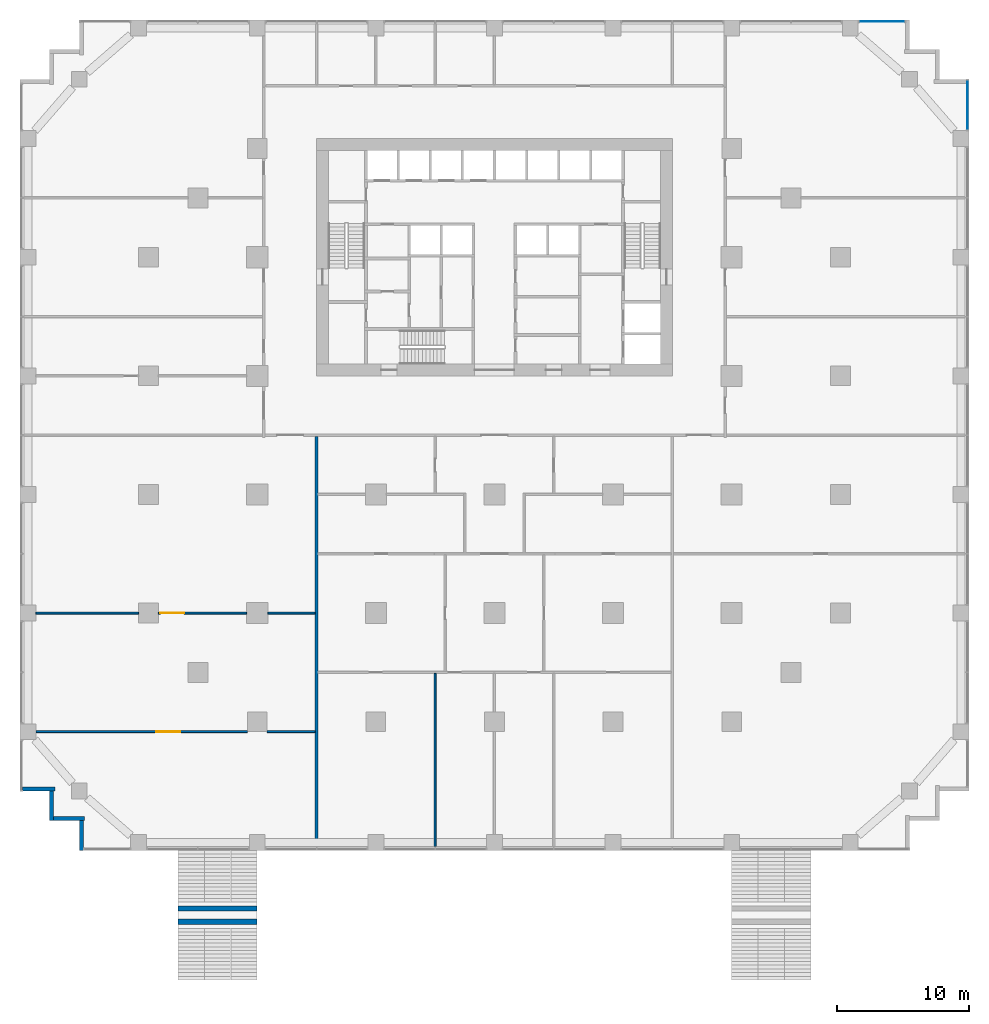
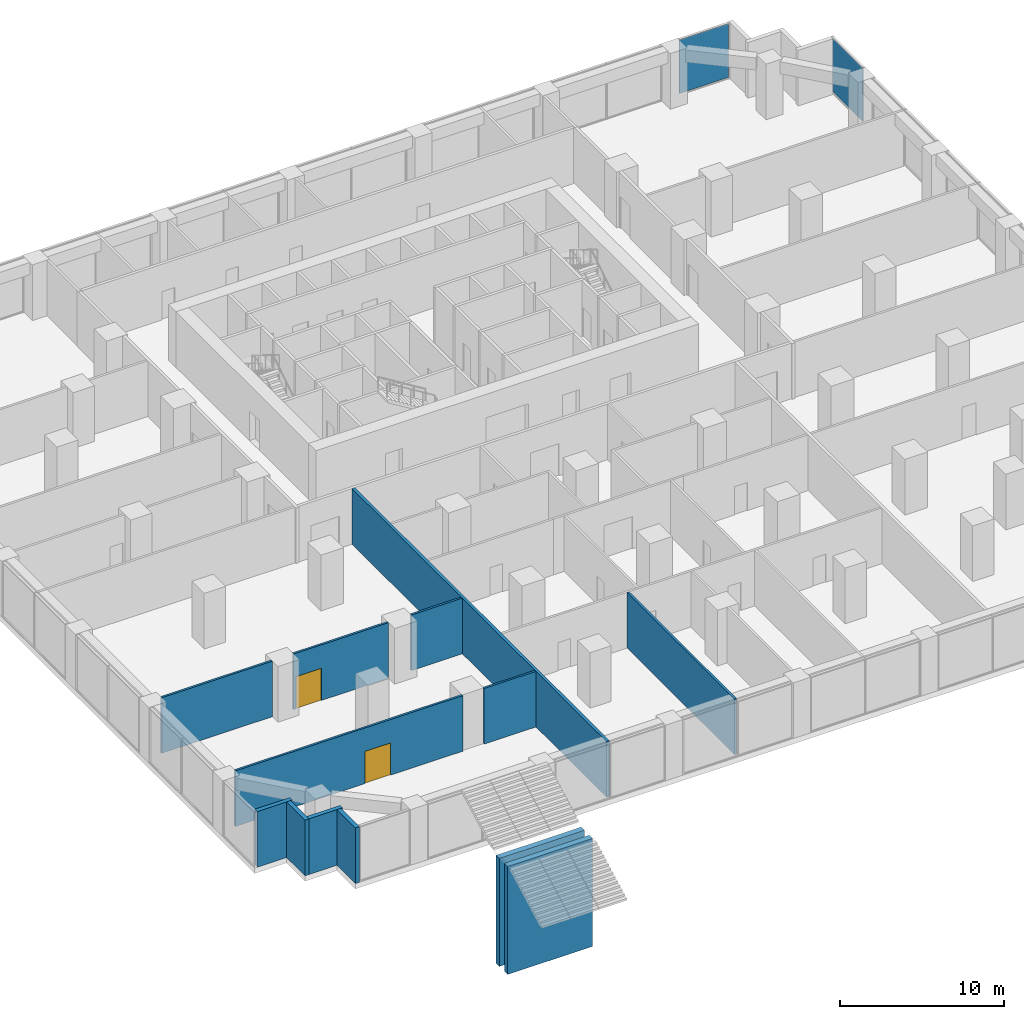
# One storey, part 11 of 18: 13 walls, 2 doors, 2 plates, 2 openings, 2 elements without a shape of their own.
"""IFC4 building model written with IfcOpenShell, lengths in metres."""

from ifc_helpers import new_model, si_unit, direction, frame, frame_2d, origin, origin_2d, place, context, subcontext, project, spatial, rectangle, extrude, material, layer, layer_set, type_object, element, fill, aggregate, save


model = new_model("IFC4")

# Units and contexts
model_context = context("Model", 3, precision=1e-05, world=origin(), true_north=direction((0.0, 1.0)))
body_context = subcontext(model_context, "Body", "Model", "MODEL_VIEW")
ifc_project = project(units=[si_unit("LENGTHUNIT", "METRE"), si_unit("AREAUNIT", "SQUARE_METRE"), si_unit("VOLUMEUNIT", "CUBIC_METRE"), si_unit("PLANEANGLEUNIT", "RADIAN"), si_unit("MASSUNIT", "GRAM", prefix="KILO")], contexts=[model_context])

# Site, building, storey
site_placement = place(None, origin())
site = spatial("IfcSite", under=ifc_project, at=site_placement, CompositionType="ELEMENT")
building_placement = place(site_placement, origin())
building = spatial("IfcBuilding", under=site, at=building_placement, Name="Orbiselva Terraces", CompositionType="ELEMENT")
storey_placement = place(building_placement, frame((0.0, 0.0, 6.0)))
storey = spatial("IfcBuildingStorey", under=building, at=storey_placement, Name="L01", CompositionType="ELEMENT", Elevation=6.0)

# Curtain wall, plate
ifc_material_1 = material(Name="Clear low-e glazing in aluminium frame", Category="aluminium")
curtain_wall_type = type_object("IfcCurtainWallType", Name="ENV-CW-LOBBY", PredefinedType="NOTDEFINED", material=ifc_material_1)
curtain_wall_1_placement = place(storey_placement, origin())
curtain_wall_1 = element("IfcCurtainWall", 1, at=curtain_wall_1_placement, inside=storey, type_object=curtain_wall_type, Name="Curtain wall L01 E", PredefinedType="NOTDEFINED")
ifc_material_2 = material(Name="Clear low-e glass", Category="glass")
ifc_layer_1 = layer(ifc_material_2, 0.028)
ifc_layer_set_1 = layer_set([ifc_layer_1], Name="Clear low-e glass")
plate_type = type_object("IfcPlateType", Name="ENV-CW-LOBBY-PANEL-28", PredefinedType="CURTAIN_PANEL", material=ifc_layer_set_1)
plate_1_placement = place(storey_placement, frame((35.9, 25.05, 0.075), z_axis=(0.0, 0.0, 1.0), x_axis=(0.0, 1.0, 0.0)))
plate_1 = element("IfcPlate", 2, at=plate_1_placement, type_object=plate_type, Name="CW1 panel 1.1", PredefinedType="CURTAIN_PANEL", context=body_context, shape_type="SweptSolid", body=[
    extrude(rectangle(XDim=3.75, YDim=0.028, at=origin_2d()), origin(), (0.0, 0.0, 1.0), 4.0),
])
aggregate(curtain_wall_1, [plate_1])

curtain_wall_2_placement = place(storey_placement, origin())
curtain_wall_2 = element("IfcCurtainWall", 3, at=curtain_wall_2_placement, inside=storey, type_object=curtain_wall_type, Name="Curtain wall L01 N", PredefinedType="NOTDEFINED")
plate_2_placement = place(storey_placement, frame((29.4, 31.4, 0.075), z_axis=(0.0, 0.0, 1.0), x_axis=(-1.0, 0.0, 0.0)))
plate_2 = element("IfcPlate", 4, at=plate_2_placement, type_object=plate_type, Name="CW1 panel 1.1", PredefinedType="CURTAIN_PANEL", context=body_context, shape_type="SweptSolid", body=[
    extrude(rectangle(XDim=3.45, YDim=0.028, at=origin_2d()), origin(), (0.0, 0.0, 1.0), 4.0),
])
aggregate(curtain_wall_2, [plate_2])

# Walls
ifc_material_3 = material(Name="Concrete C40/50", Category="concrete")
ifc_layer_2 = layer(ifc_material_3, 0.4)
ifc_layer_set_2 = layer_set([ifc_layer_2], Name="Concrete C40/50")
wall_type_1 = type_object("IfcWallType", Name="ENV-STAIR-LANDING-WALL-400", PredefinedType="SOLIDWALL", material=ifc_layer_set_2)
for number, where, z_axis, x_axis, name in (
    (5, (-24.0, -36.92, -6.0), (0.0, 0.0, 1.0), (1.0, 0.0, 0.0), "Stair landing wall 1 upper 1"),
    (6, (-24.0, -35.92, -6.0), (0.0, 0.0, 1.0), (1.0, 0.0, 0.0), "Stair landing wall 1 upper 1"),
):
    element("IfcWall", number, at=place(storey_placement, frame(where, z_axis=z_axis, x_axis=x_axis)), inside=storey, type_object=wall_type_1, Name=name, PredefinedType="SOLIDWALL", context=body_context, shape_type="SweptSolid", body=[
        extrude(rectangle(XDim=6.0, YDim=0.4, at=frame_2d((3.0, 0.0))), origin(), (0.0, 0.0, 1.0), 8.05),
    ])
ifc_material_4 = material(Name="Terracotta cladding on masonry backing", Category="masonry")
ifc_layer_3 = layer(ifc_material_4, 0.3)
ifc_layer_set_3 = layer_set([ifc_layer_3], Name="Terracotta cladding on masonry backing")
wall_type_2 = type_object("IfcWallType", Name="ENV-WALL-TERRACOTTA-300", PredefinedType="SOLIDWALL", material=ifc_layer_set_3)
wall_1_placement = place(storey_placement, frame((-33.35, -26.85, 0.0), z_axis=(0.0, 0.0, 1.0), x_axis=(-1.0, 0.0, 0.0)))
element("IfcWall", 7, at=wall_1_placement, inside=storey, type_object=wall_type_2, Name="Facade wall L01 STEP", PredefinedType="SOLIDWALL", context=body_context, shape_type="SweptSolid", body=[
    extrude(rectangle(XDim=2.45, YDim=0.3, at=frame_2d((1.225, 0.0))), origin(), (0.0, 0.0, 1.0), 4.15),
])
wall_2_placement = place(storey_placement, frame((-33.6, -29.25, 0.0), z_axis=(0.0, 0.0, 1.0), x_axis=(0.0, 1.0, 0.0)))
element("IfcWall", 8, at=wall_2_placement, inside=storey, type_object=wall_type_2, Name="Facade wall L01 STEP", PredefinedType="SOLIDWALL", context=body_context, shape_type="SweptSolid", body=[
    extrude(rectangle(XDim=2.25, YDim=0.3, at=frame_2d((1.125, 0.0))), origin(), (0.0, 0.0, 1.0), 4.15),
])
wall_3_placement = place(storey_placement, frame((-31.1, -29.1, 0.0), z_axis=(0.0, 0.0, 1.0), x_axis=(-1.0, 0.0, 0.0)))
element("IfcWall", 9, at=wall_3_placement, inside=storey, type_object=wall_type_2, Name="Facade wall L01 STEP", PredefinedType="SOLIDWALL", context=body_context, shape_type="SweptSolid", body=[
    extrude(rectangle(XDim=2.35, YDim=0.3, at=frame_2d((1.175, 0.0))), origin(), (0.0, 0.0, 1.0), 4.15),
])
wall_4_placement = place(storey_placement, frame((-31.35, -31.5, 0.0), z_axis=(0.0, 0.0, 1.0), x_axis=(0.0, 1.0, 0.0)))
element("IfcWall", 10, at=wall_4_placement, inside=storey, type_object=wall_type_2, Name="Facade wall L01 STEP", PredefinedType="SOLIDWALL", context=body_context, shape_type="SweptSolid", body=[
    extrude(rectangle(XDim=2.25, YDim=0.3, at=frame_2d((1.125, 0.0))), origin(), (0.0, 0.0, 1.0), 4.15),
])
ifc_material_5 = material(Name="Plasterboard on steel stud partition", Category="steel")
ifc_layer_4 = layer(ifc_material_5, 0.15)
ifc_layer_set_4 = layer_set([ifc_layer_4], Name="Plasterboard on steel stud partition")
wall_type_3 = type_object("IfcWallType", Name="UNIT-PARTITION-150", PredefinedType="PARTITIONING", material=ifc_layer_set_4)
wall_5_placement = place(storey_placement, frame((-17.25, -22.5, 0.0), z_axis=(0.0, 0.0, 1.0), x_axis=(1.0, 0.0, 0.0)))
element("IfcWall", 11, at=wall_5_placement, inside=storey, type_object=wall_type_3, Name="PARTITION L01-002", PredefinedType="PARTITIONING", context=body_context, shape_type="SweptSolid", body=[
    extrude(rectangle(XDim=3.65, YDim=0.15, at=frame_2d((1.825, 0.0))), origin(), (0.0, 0.0, 1.0), 4.15),
])
wall_6_placement = place(storey_placement, frame((-34.8, -13.5, 0.0), z_axis=(0.0, 0.0, 1.0), x_axis=(1.0, 0.0, 0.0)))
element("IfcWall", 12, at=wall_6_placement, inside=storey, type_object=wall_type_3, Name="PARTITION L01-004", PredefinedType="PARTITIONING", context=body_context, shape_type="SweptSolid", body=[
    extrude(rectangle(XDim=7.8, YDim=0.15, at=frame_2d((3.9, 0.0))), origin(), (0.0, 0.0, 1.0), 4.15),
])
wall_7_placement = place(storey_placement, frame((-17.2, -13.5, 0.0), z_axis=(0.0, 0.0, 1.0), x_axis=(1.0, 0.0, 0.0)))
element("IfcWall", 13, at=wall_7_placement, inside=storey, type_object=wall_type_3, Name="PARTITION L01-006", PredefinedType="PARTITIONING", context=body_context, shape_type="SweptSolid", body=[
    extrude(rectangle(XDim=3.6, YDim=0.15, at=frame_2d((1.8, 0.0))), origin(), (0.0, 0.0, 1.0), 4.15),
])
wall_8_placement = place(storey_placement, frame((-4.5, -31.2, 0.0), z_axis=(0.0, 0.0, 1.0), x_axis=(0.0, 1.0, 0.0)))
element("IfcWall", 14, at=wall_8_placement, inside=storey, type_object=wall_type_3, Name="PARTITION L01-035", PredefinedType="PARTITIONING", context=body_context, shape_type="SweptSolid", body=[
    extrude(rectangle(XDim=13.125, YDim=0.15, at=frame_2d((6.5625, 0.0))), origin(), (0.0, 0.0, 1.0), 4.15),
])

# Wall, opening, door
ifc_layer_5 = layer(ifc_material_5, 0.15)
ifc_layer_set_5 = layer_set([ifc_layer_5], Name="Plasterboard on steel stud partition")
wall_type_4 = type_object("IfcWallType", Name="UNIT-PARTITION-FR-150", PredefinedType="PARTITIONING", material=ifc_layer_set_5)
wall_9_placement = place(storey_placement, frame((-34.8, -22.5, 0.0), z_axis=(0.0, 0.0, 1.0), x_axis=(1.0, 0.0, 0.0)))
wall_9 = element("IfcWall", 15, at=wall_9_placement, inside=storey, type_object=wall_type_4, Name="PARTITION L01-001", PredefinedType="PARTITIONING", context=body_context, shape_type="SweptSolid", body=[
    extrude(rectangle(XDim=16.05, YDim=0.15, at=frame_2d((8.025, 0.0))), origin(), (0.0, 0.0, 1.0), 4.15),
])
opening_1_placement = place(wall_9_placement, frame((9.15, 0.0, 0.0)))
opening_1 = element("IfcOpeningElement", 16, at=opening_1_placement, cuts=wall_9, Name="Opening PODIUM-AMENITY-17", PredefinedType="OPENING", context=body_context, shape_type="SweptSolid", body=[
    extrude(rectangle(XDim=1.8, YDim=2.4, at=frame_2d((0.9, 1.2))), frame((0.0, 0.085, 0.0), z_axis=(0.0, -1.0, 0.0), x_axis=(1.0, 0.0, 0.0)), (0.0, 0.0, 1.0), 0.17),
])
ifc_material_6 = material(Name="Painted timber door leaf", Category="wood")
door_type = type_object("IfcDoorType", Name="DOUBLE DOOR 1800", OperationType="NOTDEFINED", PredefinedType="DOOR", material=ifc_material_6)
door_1_placement = place(opening_1_placement, origin())
door_1 = element("IfcDoor", 17, at=door_1_placement, inside=storey, type_object=door_type, Name="PODIUM-AMENITY-17", OperationType="DOUBLE_DOOR_SINGLE_SWING", OverallHeight=2.4, OverallWidth=1.8, PredefinedType="DOOR", context=body_context, shape_type="SweptSolid", body=[
    extrude(rectangle(XDim=1.8, YDim=2.4, at=frame_2d((0.9, 1.2))), frame((0.0, 0.025, 0.0), z_axis=(0.0, -1.0, 0.0), x_axis=(1.0, 0.0, 0.0)), (0.0, 0.0, 1.0), 0.05),
])
fill(opening_1, door_1)

wall_10_placement = place(storey_placement, frame((-25.5, -13.5, 0.0), z_axis=(0.0, 0.0, 1.0), x_axis=(1.0, 0.0, 0.0)))
wall_10 = element("IfcWall", 18, at=wall_10_placement, inside=storey, type_object=wall_type_4, Name="PARTITION L01-005", PredefinedType="PARTITIONING", context=body_context, shape_type="SweptSolid", body=[
    extrude(rectangle(XDim=6.7, YDim=0.15, at=frame_2d((3.35, 0.0))), origin(), (0.0, 0.0, 1.0), 4.15),
])
opening_2_placement = place(wall_10_placement, frame((0.15, 0.0, 0.0)))
opening_2 = element("IfcOpeningElement", 19, at=opening_2_placement, cuts=wall_10, Name="Opening PODIUM-AMENITY-16", PredefinedType="OPENING", context=body_context, shape_type="SweptSolid", body=[
    extrude(rectangle(XDim=1.8, YDim=2.4, at=frame_2d((0.9, 1.2))), frame((0.0, 0.085, 0.0), z_axis=(0.0, -1.0, 0.0), x_axis=(1.0, 0.0, 0.0)), (0.0, 0.0, 1.0), 0.17),
])
door_2_placement = place(opening_2_placement, origin())
door_2 = element("IfcDoor", 20, at=door_2_placement, inside=storey, type_object=door_type, Name="PODIUM-AMENITY-16", OperationType="DOUBLE_DOOR_SINGLE_SWING", OverallHeight=2.4, OverallWidth=1.8, PredefinedType="DOOR", context=body_context, shape_type="SweptSolid", body=[
    extrude(rectangle(XDim=1.8, YDim=2.4, at=frame_2d((0.9, 1.2))), frame((0.0, 0.025, 0.0), z_axis=(0.0, -1.0, 0.0), x_axis=(1.0, 0.0, 0.0)), (0.0, 0.0, 1.0), 0.05),
])
fill(opening_2, door_2)

# Wall
ifc_layer_6 = layer(ifc_material_5, 0.2)
ifc_layer_set_6 = layer_set([ifc_layer_6], Name="Plasterboard on steel stud partition")
wall_type_5 = type_object("IfcWallType", Name="UNIT-PARTY-WALL-200", PredefinedType="PARTITIONING", material=ifc_layer_set_6)
wall_11_placement = place(storey_placement, frame((-13.5, -31.2, 0.0), z_axis=(0.0, 0.0, 1.0), x_axis=(0.0, 1.0, 0.0)))
element("IfcWall", 21, at=wall_11_placement, inside=storey, type_object=wall_type_5, Name="PARTITION L01-033", PredefinedType="PARTITIONING", context=body_context, shape_type="SweptSolid", body=[
    extrude(rectangle(XDim=31.1, YDim=0.2, at=frame_2d((15.55, 0.0))), origin(), (0.0, 0.0, 1.0), 4.15),
])

save(model, "model.ifc")
